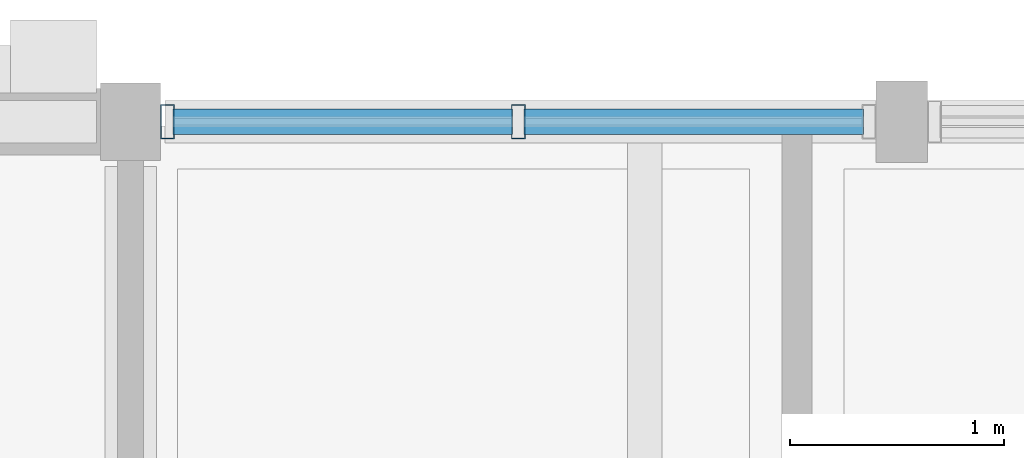
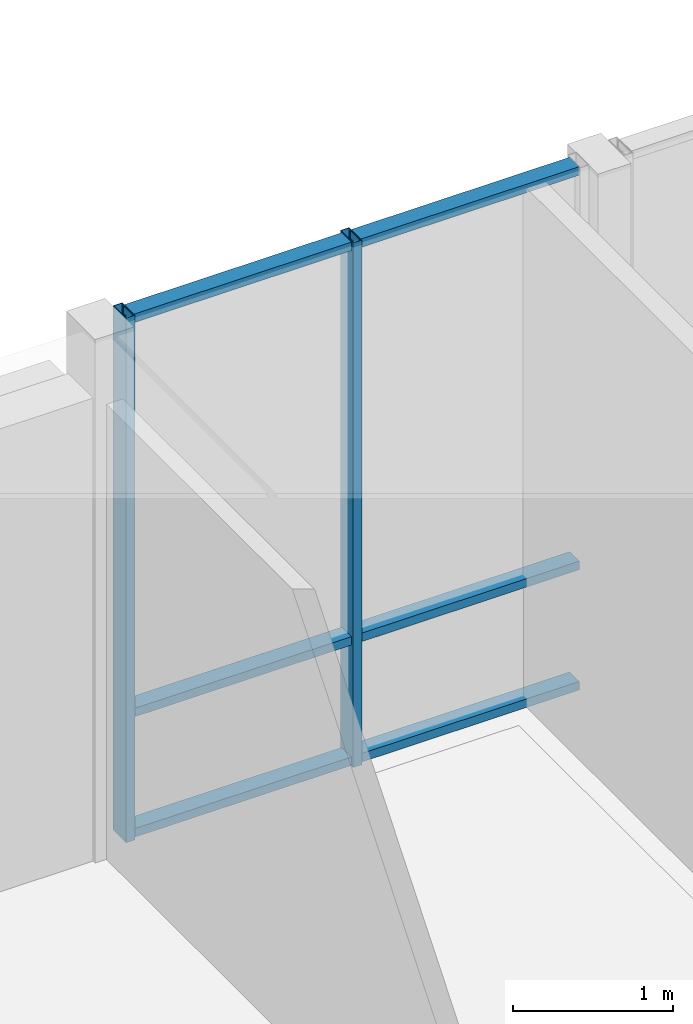
# One storey, part 22 of 115: 8 members, 1 element without a shape of its own.
"""IFC4 building model written with IfcOpenShell, lengths in metres."""

from ifc_helpers import new_model, si_unit, direction, frame, origin, origin_2d, place, context, subcontext, project, spatial, hollow_rectangle, extrude, material, material_profile, profile_set, type_object, element, aggregate, save


model = new_model("IFC4")

# Units and contexts
model_context = context("Model", 3, precision=1e-05, world=origin(), true_north=direction((0.0, 1.0)))
body_context = subcontext(model_context, "Body", "Model", "MODEL_VIEW")
ifc_project = project(units=[si_unit("LENGTHUNIT", "METRE"), si_unit("AREAUNIT", "SQUARE_METRE"), si_unit("VOLUMEUNIT", "CUBIC_METRE"), si_unit("PLANEANGLEUNIT", "RADIAN"), si_unit("MASSUNIT", "GRAM", prefix="KILO")], contexts=[model_context])

# Site, building, storey
site_placement = place(None, origin())
site = spatial("IfcSite", under=ifc_project, at=site_placement, CompositionType="ELEMENT")
building_placement = place(site_placement, origin())
building = spatial("IfcBuilding", under=site, at=building_placement, Name="Hawrajan Terrace Health Centre", CompositionType="ELEMENT")
storey_placement = place(building_placement, frame((0.0, 0.0, 9.0)))
storey = spatial("IfcBuildingStorey", under=building, at=storey_placement, Name="L02", CompositionType="ELEMENT", Elevation=9.0)

# Curtain wall, members
ifc_material_1 = material(Name="Anodized bronze aluminium and low-E solar glazing", Category="aluminium")
curtain_wall_type = type_object("IfcCurtainWallType", Name="CW_Court_SeriesB3", PredefinedType="USERDEFINED", material=ifc_material_1)
curtain_wall_placement = place(storey_placement, origin())
curtain_wall = element("IfcCurtainWall", 1, at=curtain_wall_placement, inside=storey, type_object=curtain_wall_type, Name="Curtain wall CW-L02-126", ObjectType="UNITISED CURTAIN WALL", PredefinedType="USERDEFINED")
ifc_material_2 = material(Name="Anodized bronze aluminium 6063-T6", Category="aluminium")
ifc_material_profile_1 = material_profile(ifc_material_2, hollow_rectangle(XDim=0.06494140625, YDim=0.159912109375, WallThickness=0.00390625, at=origin_2d()), Name="CW MUL 65x160")
ifc_profile_set_1 = profile_set([ifc_material_profile_1], Name="Anodized bronze aluminium 6063-T6")
member_type_1 = type_object("IfcMemberType", Name="CWMullion_65x160", PredefinedType="MULLION", material=ifc_profile_set_1)
member_1_placement = place(storey_placement, frame((33.572509765625, 59.800048828125, -0.0048828125), z_axis=(0.0, 0.0, 1.0), x_axis=(1.0, 0.0, 0.0)))
member_1 = element("IfcMember", 2, at=member_1_placement, type_object=member_type_1, Name="Mullion CW-L02-126-M1", PredefinedType="MULLION", context=body_context, shape_type="SweptSolid", body=[
    extrude(hollow_rectangle(XDim=0.06494140625, YDim=0.159912109375, WallThickness=0.00390625, at=origin_2d()), origin(), (0.0, 0.0, 1.0), 4.0),
])
member_2_placement = place(storey_placement, frame((35.2099609375, 59.800048828125, -0.0048828125), z_axis=(0.0, 0.0, 1.0), x_axis=(1.0, 0.0, 0.0)))
member_2 = element("IfcMember", 3, at=member_2_placement, type_object=member_type_1, Name="Mullion CW-L02-126-M2", PredefinedType="MULLION", context=body_context, shape_type="SweptSolid", body=[
    extrude(hollow_rectangle(XDim=0.06494140625, YDim=0.159912109375, WallThickness=0.00390625, at=origin_2d()), origin(), (0.0, 0.0, 1.0), 4.0),
])
ifc_material_profile_2 = material_profile(ifc_material_2, hollow_rectangle(XDim=0.06494140625, YDim=0.1201171875, WallThickness=0.00341796875, at=origin_2d()), Name="CW TRN 65x120")
ifc_profile_set_2 = profile_set([ifc_material_profile_2], Name="Anodized bronze aluminium 6063-T6")
member_type_2 = type_object("IfcMemberType", Name="CWTransom_65x120", PredefinedType="USERDEFINED", material=ifc_profile_set_2)
member_3_placement = place(storey_placement, frame((33.59912109375, 59.800048828125, 0.032470703125), z_axis=(1.0, 0.0, 0.0), x_axis=(0.0, 0.0, 1.0)))
member_3 = element("IfcMember", 4, at=member_3_placement, type_object=member_type_2, Name="Transom CW-L02-126-T1-1", ObjectType="TRANSOM", PredefinedType="USERDEFINED", context=body_context, shape_type="SweptSolid", body=[
    extrude(hollow_rectangle(XDim=0.06494140625, YDim=0.1201171875, WallThickness=0.00341796875, at=origin_2d()), origin(), (0.0, 0.0, 1.0), 1.58447265625),
])
member_4_placement = place(storey_placement, frame((33.59912109375, 59.800048828125, 0.949951171875), z_axis=(1.0, 0.0, 0.0), x_axis=(0.0, 0.0, 1.0)))
member_4 = element("IfcMember", 5, at=member_4_placement, type_object=member_type_2, Name="Transom CW-L02-126-T1-2", ObjectType="TRANSOM", PredefinedType="USERDEFINED", context=body_context, shape_type="SweptSolid", body=[
    extrude(hollow_rectangle(XDim=0.06494140625, YDim=0.1201171875, WallThickness=0.00341796875, at=origin_2d()), origin(), (0.0, 0.0, 1.0), 1.58447265625),
])
member_5_placement = place(storey_placement, frame((33.59912109375, 59.800048828125, 3.95751953125), z_axis=(1.0, 0.0, 0.0), x_axis=(0.0, 0.0, 1.0)))
member_5 = element("IfcMember", 6, at=member_5_placement, type_object=member_type_2, Name="Transom CW-L02-126-T1-3", ObjectType="TRANSOM", PredefinedType="USERDEFINED", context=body_context, shape_type="SweptSolid", body=[
    extrude(hollow_rectangle(XDim=0.06494140625, YDim=0.1201171875, WallThickness=0.00341796875, at=origin_2d()), origin(), (0.0, 0.0, 1.0), 1.58447265625),
])
member_6_placement = place(storey_placement, frame((35.236572265625, 59.800048828125, 0.032470703125), z_axis=(1.0, 0.0, 0.0), x_axis=(0.0, 0.0, 1.0)))
member_6 = element("IfcMember", 7, at=member_6_placement, type_object=member_type_2, Name="Transom CW-L02-126-T2-1", ObjectType="TRANSOM", PredefinedType="USERDEFINED", context=body_context, shape_type="SweptSolid", body=[
    extrude(hollow_rectangle(XDim=0.06494140625, YDim=0.1201171875, WallThickness=0.00341796875, at=origin_2d()), origin(), (0.0, 0.0, 1.0), 1.58447265625),
])
member_7_placement = place(storey_placement, frame((35.236572265625, 59.800048828125, 0.949951171875), z_axis=(1.0, 0.0, 0.0), x_axis=(0.0, 0.0, 1.0)))
member_7 = element("IfcMember", 8, at=member_7_placement, type_object=member_type_2, Name="Transom CW-L02-126-T2-2", ObjectType="TRANSOM", PredefinedType="USERDEFINED", context=body_context, shape_type="SweptSolid", body=[
    extrude(hollow_rectangle(XDim=0.06494140625, YDim=0.1201171875, WallThickness=0.00341796875, at=origin_2d()), origin(), (0.0, 0.0, 1.0), 1.58447265625),
])
member_8_placement = place(storey_placement, frame((35.236572265625, 59.800048828125, 3.95751953125), z_axis=(1.0, 0.0, 0.0), x_axis=(0.0, 0.0, 1.0)))
member_8 = element("IfcMember", 9, at=member_8_placement, type_object=member_type_2, Name="Transom CW-L02-126-T2-3", ObjectType="TRANSOM", PredefinedType="USERDEFINED", context=body_context, shape_type="SweptSolid", body=[
    extrude(hollow_rectangle(XDim=0.06494140625, YDim=0.1201171875, WallThickness=0.00341796875, at=origin_2d()), origin(), (0.0, 0.0, 1.0), 1.58447265625),
])
aggregate(curtain_wall, [member_1, member_2, member_3, member_4, member_5, member_6, member_7, member_8])

save(model, "model.ifc")
